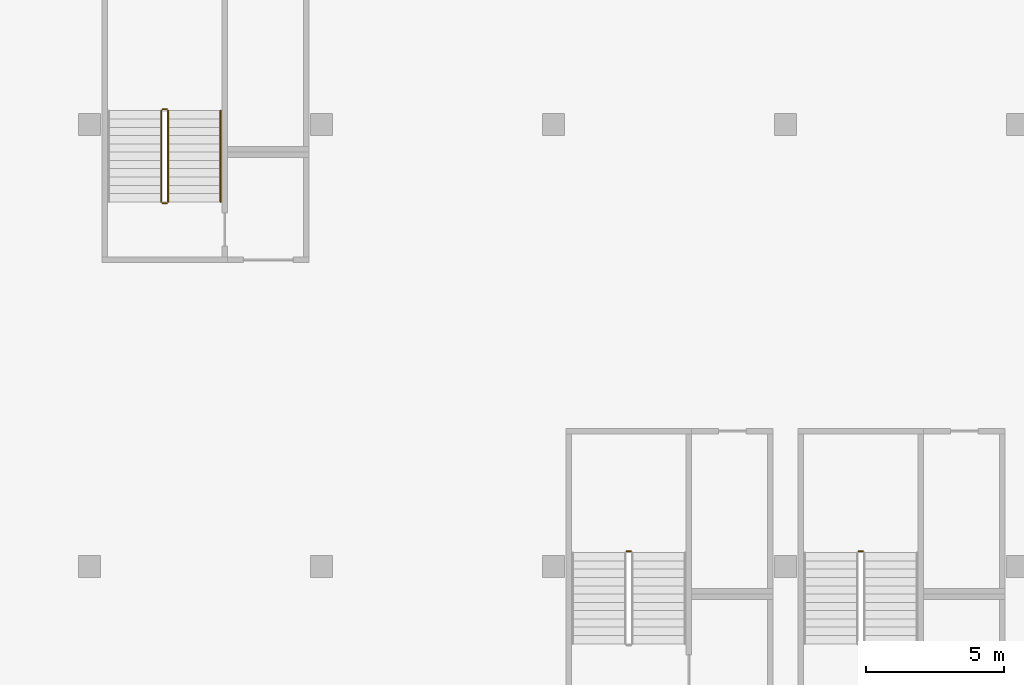
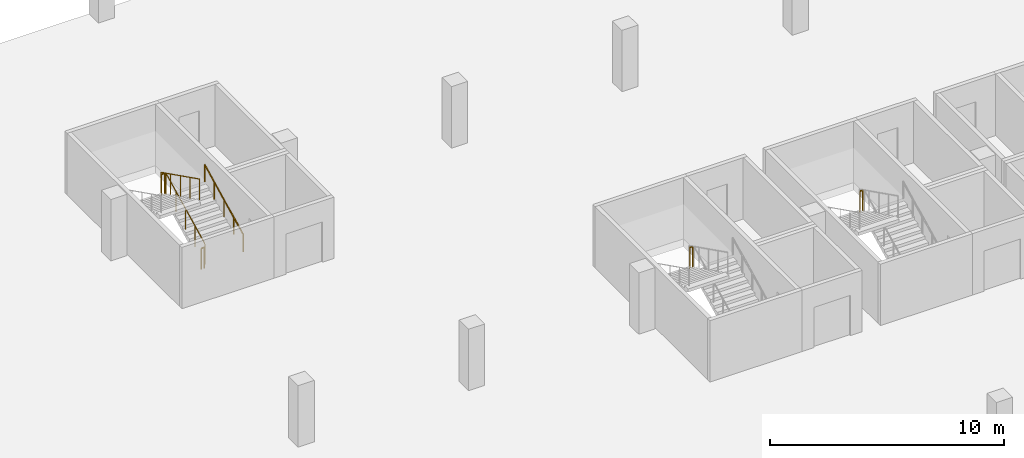
# One storey, part 35 of 37: 7 railings.
"""IFC4 building model written with IfcOpenShell, lengths in metres."""

from ifc_helpers import new_model, si_unit, direction, frame, origin, origin_2d, place, context, subcontext, project, spatial, circle, extrude, material, type_object, element, save


model = new_model("IFC4")

# Units and contexts
model_context = context("Model", 3, precision=1e-05, world=origin(), true_north=direction((0.0, 1.0)))
body_context = subcontext(model_context, "Body", "Model", "MODEL_VIEW")
ifc_project = project(units=[si_unit("LENGTHUNIT", "METRE"), si_unit("AREAUNIT", "SQUARE_METRE"), si_unit("VOLUMEUNIT", "CUBIC_METRE"), si_unit("PLANEANGLEUNIT", "RADIAN"), si_unit("MASSUNIT", "GRAM", prefix="KILO")], contexts=[model_context])

# Site, building, storey
site_placement = place(None, origin())
site = spatial("IfcSite", under=ifc_project, at=site_placement, CompositionType="ELEMENT")
building_placement = place(site_placement, origin())
building = spatial("IfcBuilding", under=site, at=building_placement, Name="Tamra Quay Hotel Tower", CompositionType="ELEMENT")
storey_placement = place(building_placement, frame((0.0, 0.0, -7.199951171875)))
storey = spatial("IfcBuildingStorey", under=building, at=storey_placement, Name="B2", CompositionType="ELEMENT", Elevation=-7.199951171875)

# Railings
ifc_material_1 = material(Name="Basement stair guard 1100")
railing_type_1 = type_object("IfcRailingType", Name="Basement stair guard 1100", PredefinedType="GUARDRAIL", material=ifc_material_1)
railing_1_placement = place(storey_placement, frame((-77.85009765625, 61.199951171875, 0.14990234375)))
element("IfcRailing", 1, at=railing_1_placement, inside=storey, type_object=railing_type_1, Name="BSG", PredefinedType="GUARDRAIL", context=body_context, shape_type="SweptSolid", body=[
    extrude(circle(Radius=0.02392578125, at=origin_2d()), frame((0.0, 0.0, 1.076171875), z_axis=(0.0, 0.894413956696, 0.447240063129), x_axis=(-1.0, 0.0, 0.0)), (0.0, 0.0, 1.0), 3.689697265625),
    extrude(circle(Radius=0.02099609375, at=origin_2d()), origin(), (0.0, 0.0, 1.0), 1.052001953125),
    extrude(circle(Radius=0.02099609375, at=origin_2d()), frame((0.0, 0.824951171875, 0.41259765625)), (0.0, 0.0, 1.0), 1.052001953125),
    extrude(circle(Radius=0.02099609375, at=origin_2d()), frame((0.0, 1.64990234375, 0.8251953125)), (0.0, 0.0, 1.0), 1.052001953125),
    extrude(circle(Radius=0.02099609375, at=origin_2d()), frame((0.0, 2.47509765625, 1.237548828125)), (0.0, 0.0, 1.0), 1.052001953125),
    extrude(circle(Radius=0.02099609375, at=origin_2d()), frame((0.0, 3.300048828125, 1.650146484375)), (0.0, 0.0, 1.0), 1.052001953125),
])
railing_2_placement = place(storey_placement, frame((-77.89990234375, 64.550048828125, 1.800048828125)))
element("IfcRailing", 2, at=railing_2_placement, inside=storey, type_object=railing_type_1, Name="BSG", PredefinedType="GUARDRAIL", context=body_context, shape_type="SweptSolid", body=[
    extrude(circle(Radius=0.02392578125, at=origin_2d()), frame((0.0, 0.0, 1.076171875), z_axis=(-1.0, 0.0, 0.0), x_axis=(0.0, -1.0, 0.0)), (0.0, 0.0, 1.0), 0.150146484375),
    extrude(circle(Radius=0.02099609375, at=origin_2d()), origin(), (0.0, 0.0, 1.0), 1.052001953125),
    extrude(circle(Radius=0.02099609375, at=origin_2d()), frame((-0.150146484375, 0.0, 0.0)), (0.0, 0.0, 1.0), 1.052001953125),
])
railing_3_placement = place(storey_placement, frame((-78.10009765625, 64.5, 1.949951171875)))
element("IfcRailing", 3, at=railing_3_placement, inside=storey, type_object=railing_type_1, Name="BSG", PredefinedType="GUARDRAIL", context=body_context, shape_type="SweptSolid", body=[
    extrude(circle(Radius=0.02392578125, at=origin_2d()), frame((0.0, 0.0, 1.076171875), z_axis=(0.0, -0.894440424912, 0.447187126696), x_axis=(1.0, 0.0, 0.0)), (0.0, 0.0, 1.0), 3.689453125),
    extrude(circle(Radius=0.02099609375, at=origin_2d()), origin(), (0.0, 0.0, 1.0), 1.052001953125),
    extrude(circle(Radius=0.02099609375, at=origin_2d()), frame((0.0, -0.824951171875, 0.41259765625)), (0.0, 0.0, 1.0), 1.052001953125),
    extrude(circle(Radius=0.02099609375, at=origin_2d()), frame((0.0, -1.64990234375, 0.824951171875)), (0.0, 0.0, 1.0), 1.052001953125),
    extrude(circle(Radius=0.02099609375, at=origin_2d()), frame((0.0, -2.47509765625, 1.2373046875)), (0.0, 0.0, 1.0), 1.052001953125),
    extrude(circle(Radius=0.02099609375, at=origin_2d()), frame((0.0, -3.300048828125, 1.64990234375)), (0.0, 0.0, 1.0), 1.052001953125),
])
railing_4_placement = place(storey_placement, frame((-77.89990234375, 61.14990234375, 0.0)))
element("IfcRailing", 4, at=railing_4_placement, inside=storey, type_object=railing_type_1, Name="BSG", PredefinedType="GUARDRAIL", context=body_context, shape_type="SweptSolid", body=[
    extrude(circle(Radius=0.02392578125, at=origin_2d()), frame((0.0, 0.0, 1.076171875), z_axis=(-1.0, 0.0, 0.0), x_axis=(0.0, -1.0, 0.0)), (0.0, 0.0, 1.0), 0.150146484375),
    extrude(circle(Radius=0.02099609375, at=origin_2d()), origin(), (0.0, 0.0, 1.0), 1.052001953125),
    extrude(circle(Radius=0.02099609375, at=origin_2d()), frame((-0.150146484375, 0.0, 0.0)), (0.0, 0.0, 1.0), 1.052001953125),
])
railing_5_placement = place(storey_placement, frame((-61.10009765625, 48.550048828125, 1.800048828125)))
element("IfcRailing", 5, at=railing_5_placement, inside=storey, type_object=railing_type_1, Name="BSG", PredefinedType="GUARDRAIL", context=body_context, shape_type="SweptSolid", body=[
    extrude(circle(Radius=0.02392578125, at=origin_2d()), frame((0.0, 0.0, 1.076171875), z_axis=(-1.0, 0.0, 0.0), x_axis=(0.0, -1.0, 0.0)), (0.0, 0.0, 1.0), 0.14990234375),
    extrude(circle(Radius=0.02099609375, at=origin_2d()), origin(), (0.0, 0.0, 1.0), 1.052001953125),
    extrude(circle(Radius=0.02099609375, at=origin_2d()), frame((-0.14990234375, 0.0, 0.0)), (0.0, 0.0, 1.0), 1.052001953125),
])
railing_6_placement = place(storey_placement, frame((-52.699951171875, 48.550048828125, 1.800048828125)))
element("IfcRailing", 6, at=railing_6_placement, inside=storey, type_object=railing_type_1, Name="BSG", PredefinedType="GUARDRAIL", context=body_context, shape_type="SweptSolid", body=[
    extrude(circle(Radius=0.02392578125, at=origin_2d()), frame((0.0, 0.0, 1.076171875), z_axis=(-1.0, 0.0, 0.0), x_axis=(0.0, -1.0, 0.0)), (0.0, 0.0, 1.0), 0.150146484375),
    extrude(circle(Radius=0.02099609375, at=origin_2d()), origin(), (0.0, 0.0, 1.0), 1.052001953125),
    extrude(circle(Radius=0.02099609375, at=origin_2d()), frame((-0.150146484375, 0.0, 0.0)), (0.0, 0.0, 1.0), 1.052001953125),
])
ifc_material_2 = material(Name="Basement stair handrail 900")
railing_type_2 = type_object("IfcRailingType", Name="Basement stair handrail 900", PredefinedType="HANDRAIL", material=ifc_material_2)
railing_7_placement = place(storey_placement, frame((-75.949951171875, 61.199951171875, 0.14990234375)))
element("IfcRailing", 7, at=railing_7_placement, inside=storey, type_object=railing_type_2, Name="BSH", PredefinedType="HANDRAIL", context=body_context, shape_type="SweptSolid", body=[
    extrude(circle(Radius=0.02392578125, at=origin_2d()), frame((0.0, 0.0, 0.8759765625), z_axis=(0.0, 0.894413956696, 0.447240063129), x_axis=(-1.0, 0.0, 0.0)), (0.0, 0.0, 1.0), 3.689697265625),
    extrude(circle(Radius=0.02099609375, at=origin_2d()), origin(), (0.0, 0.0, 1.0), 0.851806640625),
    extrude(circle(Radius=0.02099609375, at=origin_2d()), frame((0.0, 0.824951171875, 0.41259765625)), (0.0, 0.0, 1.0), 0.851806640625),
    extrude(circle(Radius=0.02099609375, at=origin_2d()), frame((0.0, 1.64990234375, 0.8251953125)), (0.0, 0.0, 1.0), 0.851806640625),
    extrude(circle(Radius=0.02099609375, at=origin_2d()), frame((0.0, 2.47509765625, 1.237548828125)), (0.0, 0.0, 1.0), 0.851806640625),
    extrude(circle(Radius=0.02099609375, at=origin_2d()), frame((0.0, 3.300048828125, 1.650146484375)), (0.0, 0.0, 1.0), 0.851806640625),
])

save(model, "model.ifc")
